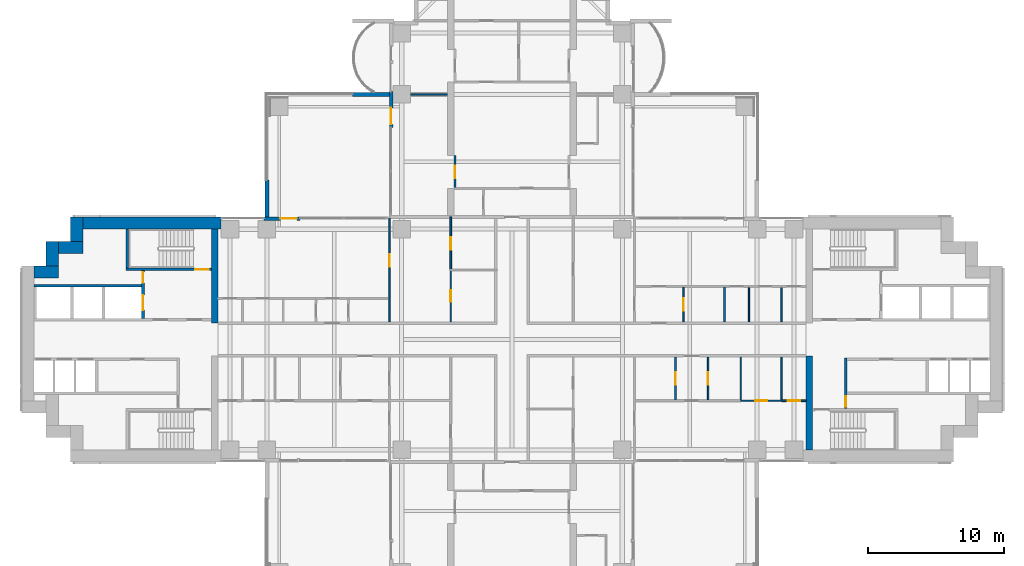
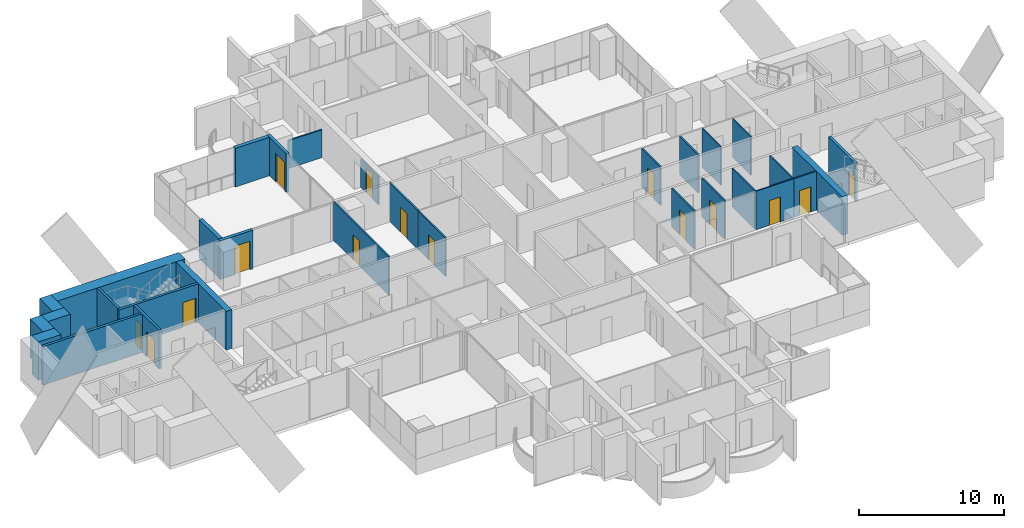
# One storey, part 14 of 22: 31 walls, 15 doors, 15 openings.
"""IFC4 building model written with IfcOpenShell, lengths in metres."""

from ifc_helpers import new_model, si_unit, direction, frame, frame_2d, origin, place, context, subcontext, project, spatial, rectangle, extrude, material, layer, layer_set, type_object, element, fill, save


model = new_model("IFC4")

# Units and contexts
model_context = context("Model", 3, precision=1e-05, world=origin(), true_north=direction((0.0, 1.0)))
body_context = subcontext(model_context, "Body", "Model", "MODEL_VIEW")
ifc_project = project(units=[si_unit("LENGTHUNIT", "METRE"), si_unit("AREAUNIT", "SQUARE_METRE"), si_unit("VOLUMEUNIT", "CUBIC_METRE"), si_unit("PLANEANGLEUNIT", "RADIAN"), si_unit("MASSUNIT", "GRAM", prefix="KILO")], contexts=[model_context])

# Site, building, storey
site_placement = place(None, origin())
site = spatial("IfcSite", under=ifc_project, at=site_placement, CompositionType="ELEMENT")
building_placement = place(site_placement, origin())
building = spatial("IfcBuilding", under=site, at=building_placement, Name="Perihelion Cross Residences", CompositionType="ELEMENT")
storey_placement = place(building_placement, frame((0.0, 0.0, 50.5)))
storey = spatial("IfcBuildingStorey", under=building, at=storey_placement, Name="L09", CompositionType="ELEMENT", Elevation=50.5)

# Wall, opening, door
ifc_material_1 = material(Name="Concrete C30/37, bronze-clad", Category="concrete")
ifc_layer_1 = layer(ifc_material_1, 0.25)
ifc_layer_set_1 = layer_set([ifc_layer_1], Name="Bronze-clad pier wall 250")
wall_type_1 = type_object("IfcWallType", Name="Bronze-clad pier wall 250", PredefinedType="SOLIDWALL", material=ifc_layer_set_1)
wall_1_placement = place(storey_placement, frame((-8.875, 18.199951171875, 0.0), z_axis=(0.0, 0.0, 1.0), x_axis=(0.0, -1.0, 0.0)))
wall_1 = element("IfcWall", 1, at=wall_1_placement, inside=storey, type_object=wall_type_1, Name="Wall FW1 L09 north side west bay 2 pier", PredefinedType="SOLIDWALL", context=body_context, shape_type="SweptSolid", body=[
    extrude(rectangle(XDim=2.64990234375, YDim=0.25, at=frame_2d((1.324951171875, 0.0))), origin(), (0.0, 0.0, 1.0), 3.25),
])
opening_1_placement = place(wall_1_placement, frame((1.199951171875, 0.0, 0.0)))
opening_1 = element("IfcOpeningElement", 2, at=opening_1_placement, cuts=wall_1, Name="Opening L09.E07", PredefinedType="OPENING", context=body_context, shape_type="SweptSolid", body=[
    extrude(rectangle(XDim=1.199951171875, YDim=2.39990234375, at=frame_2d((0.60009765625, 1.199951171875))), frame((0.0, 0.135009765625, 0.0), z_axis=(0.0, -1.0, 0.0), x_axis=(1.0, 0.0, 0.0)), (0.0, 0.0, 1.0), 0.27001953125),
])
ifc_material_2 = material(Name="Bronze anodised aluminium, glazed", Category="aluminium")
door_type_1 = type_object("IfcDoorType", Name="Balcony door 1200 x 2400", OperationType="NOTDEFINED", PredefinedType="DOOR", material=ifc_material_2)
door_1_placement = place(opening_1_placement, origin())
door_1 = element("IfcDoor", 3, at=door_1_placement, inside=storey, type_object=door_type_1, Name="Door L09.E07 north side west bay 2", OperationType="SINGLE_SWING_RIGHT", OverallHeight=2.39990234375, OverallWidth=1.199951171875, PredefinedType="DOOR", context=body_context, shape_type="SweptSolid", body=[
    extrude(rectangle(XDim=1.199951171875, YDim=2.39990234375, at=frame_2d((0.60009765625, 1.199951171875))), frame((0.0, 0.02490234375, 0.0), z_axis=(0.0, -1.0, 0.0), x_axis=(1.0, 0.0, 0.0)), (0.0, 0.0, 1.0), 0.050048828125),
])
fill(opening_1, door_1)

wall_2_placement = place(storey_placement, frame((-15.550048828125, 8.875, 0.0), z_axis=(0.0, 0.0, 1.0), x_axis=(-1.0, 0.0, 0.0)))
wall_2 = element("IfcWall", 4, at=wall_2_placement, inside=storey, type_object=wall_type_1, Name="Wall FW1 L09 west side north bay 1 pier", PredefinedType="SOLIDWALL", context=body_context, shape_type="SweptSolid", body=[
    extrude(rectangle(XDim=2.64990234375, YDim=0.25, at=frame_2d((1.324951171875, 0.0))), origin(), (0.0, 0.0, 1.0), 3.25),
])
opening_2_placement = place(wall_2_placement, frame((0.25, 0.0, 0.0)))
opening_2 = element("IfcOpeningElement", 5, at=opening_2_placement, cuts=wall_2, Name="Opening L09.E08", PredefinedType="OPENING", context=body_context, shape_type="SweptSolid", body=[
    extrude(rectangle(XDim=1.199951171875, YDim=2.39990234375, at=frame_2d((0.60009765625, 1.199951171875))), frame((0.0, 0.135009765625, 0.0), z_axis=(0.0, -1.0, 0.0), x_axis=(1.0, 0.0, 0.0)), (0.0, 0.0, 1.0), 0.27001953125),
])
door_2_placement = place(opening_2_placement, origin())
door_2 = element("IfcDoor", 6, at=door_2_placement, inside=storey, type_object=door_type_1, Name="Door L09.E08 west side north bay 1", OperationType="SINGLE_SWING_LEFT", OverallHeight=2.39990234375, OverallWidth=1.199951171875, PredefinedType="DOOR", context=body_context, shape_type="SweptSolid", body=[
    extrude(rectangle(XDim=1.199951171875, YDim=2.39990234375, at=frame_2d((0.60009765625, 1.199951171875))), frame((0.0, 0.02490234375, 0.0), z_axis=(0.0, -1.0, 0.0), x_axis=(1.0, 0.0, 0.0)), (0.0, 0.0, 1.0), 0.050048828125),
])
fill(opening_2, door_2)

# Walls
ifc_material_3 = material(Name="Concrete C60/75", Category="concrete")
ifc_layer_2 = layer(ifc_material_3, 0.449951171875)
ifc_layer_set_2 = layer_set([ifc_layer_2], Name="Core wall, inner 450")
wall_type_2 = type_object("IfcWallType", Name="Core wall, inner 450", PredefinedType="SHEAR", material=ifc_layer_set_2)
for number, where, z_axis, x_axis, name in (
    (7, (21.824951171875, -8.10009765625, 0.0), (0.0, 0.0, 1.0), (0.0, 1.0, 0.0), "East core core wall, inner"),
    (8, (-21.824951171875, 1.199951171875, 0.0), (0.0, 0.0, 1.0), (0.0, 1.0, 0.0), "West core core wall, inner"),
):
    element("IfcWall", number, at=place(storey_placement, frame(where, z_axis=z_axis, x_axis=x_axis)), inside=storey, type_object=wall_type_2, Name=name, PredefinedType="SHEAR", context=body_context, shape_type="SweptSolid", body=[
        extrude(rectangle(XDim=6.900146484375, YDim=0.449951171875, at=frame_2d((3.4501953125, 0.0))), origin(), (0.0, 0.0, 1.0), 3.25),
    ])
ifc_material_4 = material(Name="Concrete C60/75", Category="concrete")
ifc_layer_3 = layer(ifc_material_4, 0.89990234375)
ifc_layer_set_3 = layer_set([ifc_layer_3], Name="Core wall, outer 900")
wall_type_3 = type_object("IfcWallType", Name="Core wall, outer 900", PredefinedType="SHEAR", material=ifc_layer_set_3)
for number, where, z_axis, x_axis, name in (
    (9, (-35.10009765625, 4.949951171875, 0.0), (0.0, 0.0, 1.0), (1.0, 0.0, 0.0), "West core core wall, outer"),
    (10, (-33.75, 5.39990234375, 0.0), (0.0, 0.0, 1.0), (0.0, 1.0, 0.0), "West core core wall, outer"),
    (11, (-33.300048828125, 6.75, 0.0), (0.0, 0.0, 1.0), (1.0, 0.0, 0.0), "West core core wall, outer"),
    (12, (-31.949951171875, 7.199951171875, 0.0), (0.0, 0.0, 1.0), (0.0, 1.0, 0.0), "West core core wall, outer"),
):
    element("IfcWall", number, at=place(storey_placement, frame(where, z_axis=z_axis, x_axis=x_axis)), inside=storey, type_object=wall_type_3, Name=name, PredefinedType="SHEAR", context=body_context, shape_type="SweptSolid", body=[
        extrude(rectangle(XDim=1.800048828125, YDim=0.89990234375, at=frame_2d((0.89990234375, 0.0))), origin(), (0.0, 0.0, 1.0), 3.25),
    ])
wall_3_placement = place(storey_placement, frame((-31.5, 8.550048828125, 0.0), z_axis=(0.0, 0.0, 1.0), x_axis=(1.0, 0.0, 0.0)))
element("IfcWall", 13, at=wall_3_placement, inside=storey, type_object=wall_type_3, Name="West core core wall, outer", PredefinedType="SHEAR", context=body_context, shape_type="SweptSolid", body=[
    extrude(rectangle(XDim=10.14990234375, YDim=0.89990234375, at=frame_2d((5.074951171875, 0.0))), origin(), (0.0, 0.0, 1.0), 3.25),
])

# Wall, opening, door
ifc_material_5 = material(Name="Plasterboard partition")
ifc_layer_4 = layer(ifc_material_5, 0.1201171875)
ifc_layer_set_4 = layer_set([ifc_layer_4], Name="Infill panel 120")
wall_type_4 = type_object("IfcWallType", Name="Infill panel 120", PredefinedType="PARTITIONING", material=ifc_layer_set_4)
wall_4_placement = place(storey_placement, frame((-4.18994140625, 11.10009765625, 0.0), z_axis=(0.0, 0.0, 1.0), x_axis=(0.0, 1.0, 0.0)))
wall_4 = element("IfcWall", 14, at=wall_4_placement, inside=storey, type_object=wall_type_4, Name="Partition L09 WI03", PredefinedType="PARTITIONING", context=body_context, shape_type="SweptSolid", body=[
    extrude(rectangle(XDim=2.39990234375, YDim=0.1201171875, at=frame_2d((1.199951171875, 0.0))), origin(), (0.0, 0.0, 1.0), 2.39990234375),
])
opening_3_placement = place(wall_4_placement, frame((0.75, 0.0, 0.0)))
opening_3 = element("IfcOpeningElement", 15, at=opening_3_placement, cuts=wall_4, Name="Opening L09.A53", PredefinedType="OPENING", context=body_context, shape_type="SweptSolid", body=[
    extrude(rectangle(XDim=0.89990234375, YDim=2.10009765625, at=frame_2d((0.449951171875, 1.050048828125))), frame((0.0, 0.070068359375, 0.0), z_axis=(0.0, -1.0, 0.0), x_axis=(1.0, 0.0, 0.0)), (0.0, 0.0, 1.0), 0.14013671875),
])
ifc_material_6 = material(Name="Timber door leaf", Category="wood")
door_type_2 = type_object("IfcDoorType", Name="Interior room door 900 x 2100", OperationType="SINGLE_SWING_LEFT", PredefinedType="DOOR", material=ifc_material_6)
door_3_placement = place(opening_3_placement, origin())
door_3 = element("IfcDoor", 16, at=door_3_placement, inside=storey, type_object=door_type_2, Name="Door L09.A53", OperationType="SINGLE_SWING_RIGHT", OverallHeight=2.10009765625, OverallWidth=0.89990234375, PredefinedType="DOOR", context=body_context, shape_type="SweptSolid", body=[
    extrude(rectangle(XDim=0.89990234375, YDim=2.10009765625, at=frame_2d((0.449951171875, 1.050048828125))), frame((0.0, 0.02490234375, 0.0), z_axis=(0.0, -1.0, 0.0), x_axis=(1.0, 0.0, 0.0)), (0.0, 0.0, 1.0), 0.050048828125),
])
fill(opening_3, door_3)

ifc_material_7 = material(Name="Concrete C50/60", Category="concrete")
ifc_layer_5 = layer(ifc_material_7, 0.199951171875)
ifc_layer_set_5 = layer_set([ifc_layer_5], Name="Lobby wall 200")
wall_type_5 = type_object("IfcWallType", Name="Lobby wall 200", PredefinedType="SOLIDWALL", material=ifc_layer_set_5)
wall_5_placement = place(storey_placement, frame((24.5, -5.050048828125, 0.0), z_axis=(0.0, 0.0, 1.0), x_axis=(0.0, 1.0, 0.0)))
wall_5 = element("IfcWall", 17, at=wall_5_placement, inside=storey, type_object=wall_type_5, Name="East core lobby wall", PredefinedType="SOLIDWALL", context=body_context, shape_type="SweptSolid", body=[
    extrude(rectangle(XDim=3.699951171875, YDim=0.199951171875, at=frame_2d((1.85009765625, 0.0))), origin(), (0.0, 0.0, 1.0), 3.25),
])
opening_4_placement = place(wall_5_placement, frame((0.10009765625, 0.0, 0.0)))
opening_4 = element("IfcOpeningElement", 18, at=opening_4_placement, cuts=wall_5, Name="Opening L09.C08", PredefinedType="OPENING", context=body_context, shape_type="SweptSolid", body=[
    extrude(rectangle(XDim=0.800048828125, YDim=2.10009765625, at=frame_2d((0.39990234375, 1.050048828125))), frame((0.0, 0.10986328125, 0.0), z_axis=(0.0, -1.0, 0.0), x_axis=(1.0, 0.0, 0.0)), (0.0, 0.0, 1.0), 0.219970703125),
])
ifc_material_8 = material(Name="Steel, powder coated", Category="steel")
door_type_3 = type_object("IfcDoorType", Name="Riser door 800", OperationType="SINGLE_SWING_LEFT", PredefinedType="DOOR", material=ifc_material_8)
door_4_placement = place(opening_4_placement, origin())
door_4 = element("IfcDoor", 19, at=door_4_placement, inside=storey, type_object=door_type_3, Name="East core riser door", OperationType="SINGLE_SWING_LEFT", OverallHeight=2.10009765625, OverallWidth=0.800048828125, PredefinedType="DOOR", context=body_context, shape_type="SweptSolid", body=[
    extrude(rectangle(XDim=0.800048828125, YDim=2.10009765625, at=frame_2d((0.39990234375, 1.050048828125))), frame((0.0, 0.02490234375, 0.0), z_axis=(0.0, -1.0, 0.0), x_axis=(1.0, 0.0, 0.0)), (0.0, 0.0, 1.0), 0.050048828125),
])
fill(opening_4, door_4)

ifc_material_9 = material(Name="Plasterboard partition")
ifc_layer_6 = layer(ifc_material_9, 0.1201171875)
ifc_layer_set_6 = layer_set([ifc_layer_6], Name="Partition wall 120")
wall_type_6 = type_object("IfcWallType", Name="Partition wall 120", PredefinedType="PARTITIONING", material=ifc_layer_set_6)
wall_6_placement = place(storey_placement, frame((12.60009765625, 3.840087890625, 0.0), z_axis=(0.0, 0.0, 1.0), x_axis=(0.0, -1.0, 0.0)))
wall_6 = element("IfcWall", 20, at=wall_6_placement, inside=storey, type_object=wall_type_6, Name="Partition L09 W011", PredefinedType="PARTITIONING", context=body_context, shape_type="SweptSolid", body=[
    extrude(rectangle(XDim=2.5400390625, YDim=0.1201171875, at=frame_2d((1.27001953125, 0.0))), origin(), (0.0, 0.0, 1.0), 3.25),
])
opening_5_placement = place(wall_6_placement, frame((0.820068359375, 0.0, 0.0)))
opening_5 = element("IfcOpeningElement", 21, at=opening_5_placement, cuts=wall_6, Name="Opening L09.A04", PredefinedType="OPENING", context=body_context, shape_type="SweptSolid", body=[
    extrude(rectangle(XDim=0.89990234375, YDim=2.10009765625, at=frame_2d((0.449951171875, 1.050048828125))), frame((0.0, 0.070068359375, 0.0), z_axis=(0.0, -1.0, 0.0), x_axis=(1.0, 0.0, 0.0)), (0.0, 0.0, 1.0), 0.14013671875),
])
door_5_placement = place(opening_5_placement, origin())
door_5 = element("IfcDoor", 22, at=door_5_placement, inside=storey, type_object=door_type_2, Name="Door L09.A04", OperationType="SINGLE_SWING_RIGHT", OverallHeight=2.10009765625, OverallWidth=0.89990234375, PredefinedType="DOOR", context=body_context, shape_type="SweptSolid", body=[
    extrude(rectangle(XDim=0.89990234375, YDim=2.10009765625, at=frame_2d((0.449951171875, 1.050048828125))), frame((0.0, 0.02490234375, 0.0), z_axis=(0.0, -1.0, 0.0), x_axis=(1.0, 0.0, 0.0)), (0.0, 0.0, 1.0), 0.050048828125),
])
fill(opening_5, door_5)

# Wall
wall_7_placement = place(storey_placement, frame((15.60009765625, 3.840087890625, 0.0), z_axis=(0.0, 0.0, 1.0), x_axis=(0.0, -1.0, 0.0)))
element("IfcWall", 23, at=wall_7_placement, inside=storey, type_object=wall_type_6, Name="Partition L09 W014", PredefinedType="PARTITIONING", context=body_context, shape_type="SweptSolid", body=[
    extrude(rectangle(XDim=2.5400390625, YDim=0.1201171875, at=frame_2d((1.27001953125, 0.0))), origin(), (0.0, 0.0, 1.0), 3.25),
])

# Wall, opening, door
wall_8_placement = place(storey_placement, frame((12.0, -1.300048828125, 0.0), z_axis=(0.0, 0.0, 1.0), x_axis=(0.0, -1.0, 0.0)))
wall_8 = element("IfcWall", 24, at=wall_8_placement, inside=storey, type_object=wall_type_6, Name="Partition L09 W020", PredefinedType="PARTITIONING", context=body_context, shape_type="SweptSolid", body=[
    extrude(rectangle(XDim=3.139892578125, YDim=0.1201171875, at=frame_2d((1.56982421875, 0.0))), origin(), (0.0, 0.0, 1.0), 3.25),
])
opening_6_placement = place(wall_8_placement, frame((1.1201171875, 0.0, 0.0)))
opening_6 = element("IfcOpeningElement", 25, at=opening_6_placement, cuts=wall_8, Name="Opening L09.A11", PredefinedType="OPENING", context=body_context, shape_type="SweptSolid", body=[
    extrude(rectangle(XDim=0.89990234375, YDim=2.10009765625, at=frame_2d((0.449951171875, 1.050048828125))), frame((0.0, 0.070068359375, 0.0), z_axis=(0.0, -1.0, 0.0), x_axis=(1.0, 0.0, 0.0)), (0.0, 0.0, 1.0), 0.14013671875),
])
door_6_placement = place(opening_6_placement, origin())
door_6 = element("IfcDoor", 26, at=door_6_placement, inside=storey, type_object=door_type_2, Name="Door L09.A11", OperationType="SINGLE_SWING_RIGHT", OverallHeight=2.10009765625, OverallWidth=0.89990234375, PredefinedType="DOOR", context=body_context, shape_type="SweptSolid", body=[
    extrude(rectangle(XDim=0.89990234375, YDim=2.10009765625, at=frame_2d((0.449951171875, 1.050048828125))), frame((0.0, 0.02490234375, 0.0), z_axis=(0.0, -1.0, 0.0), x_axis=(1.0, 0.0, 0.0)), (0.0, 0.0, 1.0), 0.050048828125),
])
fill(opening_6, door_6)

wall_9_placement = place(storey_placement, frame((14.39990234375, -1.300048828125, 0.0), z_axis=(0.0, 0.0, 1.0), x_axis=(0.0, -1.0, 0.0)))
wall_9 = element("IfcWall", 27, at=wall_9_placement, inside=storey, type_object=wall_type_6, Name="Partition L09 W023", PredefinedType="PARTITIONING", context=body_context, shape_type="SweptSolid", body=[
    extrude(rectangle(XDim=3.139892578125, YDim=0.1201171875, at=frame_2d((1.56982421875, 0.0))), origin(), (0.0, 0.0, 1.0), 3.25),
])
opening_7_placement = place(wall_9_placement, frame((1.1201171875, 0.0, 0.0)))
opening_7 = element("IfcOpeningElement", 28, at=opening_7_placement, cuts=wall_9, Name="Opening L09.A15", PredefinedType="OPENING", context=body_context, shape_type="SweptSolid", body=[
    extrude(rectangle(XDim=0.89990234375, YDim=2.10009765625, at=frame_2d((0.449951171875, 1.050048828125))), frame((0.0, 0.070068359375, 0.0), z_axis=(0.0, -1.0, 0.0), x_axis=(1.0, 0.0, 0.0)), (0.0, 0.0, 1.0), 0.14013671875),
])
door_7_placement = place(opening_7_placement, origin())
door_7 = element("IfcDoor", 29, at=door_7_placement, inside=storey, type_object=door_type_2, Name="Door L09.A15", OperationType="SINGLE_SWING_LEFT", OverallHeight=2.10009765625, OverallWidth=0.89990234375, PredefinedType="DOOR", context=body_context, shape_type="SweptSolid", body=[
    extrude(rectangle(XDim=0.89990234375, YDim=2.10009765625, at=frame_2d((0.449951171875, 1.050048828125))), frame((0.0, 0.02490234375, 0.0), z_axis=(0.0, -1.0, 0.0), x_axis=(1.0, 0.0, 0.0)), (0.0, 0.0, 1.0), 0.050048828125),
])
fill(opening_7, door_7)

wall_10_placement = place(storey_placement, frame((21.60009765625, -4.5, 0.0), z_axis=(0.0, 0.0, 1.0), x_axis=(-1.0, 0.0, 0.0)))
wall_10 = element("IfcWall", 30, at=wall_10_placement, inside=storey, type_object=wall_type_6, Name="Partition L09 W027", PredefinedType="PARTITIONING", context=body_context, shape_type="SweptSolid", body=[
    extrude(rectangle(XDim=1.800048828125, YDim=0.1201171875, at=frame_2d((0.89990234375, 0.0))), origin(), (0.0, 0.0, 1.0), 3.25),
])
opening_8_placement = place(wall_10_placement, frame((0.449951171875, 0.0, 0.0)))
opening_8 = element("IfcOpeningElement", 31, at=opening_8_placement, cuts=wall_10, Name="Opening L09.A13", PredefinedType="OPENING", context=body_context, shape_type="SweptSolid", body=[
    extrude(rectangle(XDim=0.89990234375, YDim=2.10009765625, at=frame_2d((0.449951171875, 1.050048828125))), frame((0.0, 0.070068359375, 0.0), z_axis=(0.0, -1.0, 0.0), x_axis=(1.0, 0.0, 0.0)), (0.0, 0.0, 1.0), 0.14013671875),
])
door_8_placement = place(opening_8_placement, origin())
door_8 = element("IfcDoor", 32, at=door_8_placement, inside=storey, type_object=door_type_2, Name="Door L09.A13", OperationType="SINGLE_SWING_LEFT", OverallHeight=2.10009765625, OverallWidth=0.89990234375, PredefinedType="DOOR", context=body_context, shape_type="SweptSolid", body=[
    extrude(rectangle(XDim=0.89990234375, YDim=2.10009765625, at=frame_2d((0.449951171875, 1.050048828125))), frame((0.0, 0.02490234375, 0.0), z_axis=(0.0, -1.0, 0.0), x_axis=(1.0, 0.0, 0.0)), (0.0, 0.0, 1.0), 0.050048828125),
])
fill(opening_8, door_8)

wall_11_placement = place(storey_placement, frame((-9.0, 8.919921875, 0.0), z_axis=(0.0, 0.0, 1.0), x_axis=(0.0, -1.0, 0.0)))
wall_11 = element("IfcWall", 33, at=wall_11_placement, inside=storey, type_object=wall_type_6, Name="Partition L09 W033", PredefinedType="PARTITIONING", context=body_context, shape_type="SweptSolid", body=[
    extrude(rectangle(XDim=7.619873046875, YDim=0.1201171875, at=frame_2d((3.81005859375, 0.0))), origin(), (0.0, 0.0, 1.0), 3.25),
])
opening_9_placement = place(wall_11_placement, frame((2.669921875, 0.0, 0.0)))
opening_9 = element("IfcOpeningElement", 34, at=opening_9_placement, cuts=wall_11, Name="Opening L09.A20", PredefinedType="OPENING", context=body_context, shape_type="SweptSolid", body=[
    extrude(rectangle(XDim=0.89990234375, YDim=2.10009765625, at=frame_2d((0.449951171875, 1.050048828125))), frame((0.0, 0.070068359375, 0.0), z_axis=(0.0, -1.0, 0.0), x_axis=(1.0, 0.0, 0.0)), (0.0, 0.0, 1.0), 0.14013671875),
])
door_9_placement = place(opening_9_placement, origin())
door_9 = element("IfcDoor", 35, at=door_9_placement, inside=storey, type_object=door_type_2, Name="Door L09.A20", OperationType="SINGLE_SWING_RIGHT", OverallHeight=2.10009765625, OverallWidth=0.89990234375, PredefinedType="DOOR", context=body_context, shape_type="SweptSolid", body=[
    extrude(rectangle(XDim=0.89990234375, YDim=2.10009765625, at=frame_2d((0.449951171875, 1.050048828125))), frame((0.0, 0.02490234375, 0.0), z_axis=(0.0, -1.0, 0.0), x_axis=(1.0, 0.0, 0.0)), (0.0, 0.0, 1.0), 0.050048828125),
])
fill(opening_9, door_9)

wall_12_placement = place(storey_placement, frame((-4.5, 9.0, 0.0), z_axis=(0.0, 0.0, 1.0), x_axis=(0.0, -1.0, 0.0)))
wall_12 = element("IfcWall", 36, at=wall_12_placement, inside=storey, type_object=wall_type_6, Name="Partition L09 W040", PredefinedType="PARTITIONING", context=body_context, shape_type="SweptSolid", body=[
    extrude(rectangle(XDim=3.89990234375, YDim=0.1201171875, at=frame_2d((1.949951171875, 0.0))), origin(), (0.0, 0.0, 1.0), 3.25),
])
opening_10_placement = place(wall_12_placement, frame((1.5, 0.0, 0.0)))
opening_10 = element("IfcOpeningElement", 37, at=opening_10_placement, cuts=wall_12, Name="Opening L09.A18", PredefinedType="OPENING", context=body_context, shape_type="SweptSolid", body=[
    extrude(rectangle(XDim=0.89990234375, YDim=2.10009765625, at=frame_2d((0.449951171875, 1.050048828125))), frame((0.0, 0.070068359375, 0.0), z_axis=(0.0, -1.0, 0.0), x_axis=(1.0, 0.0, 0.0)), (0.0, 0.0, 1.0), 0.14013671875),
])
door_10_placement = place(opening_10_placement, origin())
door_10 = element("IfcDoor", 38, at=door_10_placement, inside=storey, type_object=door_type_2, Name="Door L09.A18", OperationType="SINGLE_SWING_LEFT", OverallHeight=2.10009765625, OverallWidth=0.89990234375, PredefinedType="DOOR", context=body_context, shape_type="SweptSolid", body=[
    extrude(rectangle(XDim=0.89990234375, YDim=2.10009765625, at=frame_2d((0.449951171875, 1.050048828125))), frame((0.0, 0.02490234375, 0.0), z_axis=(0.0, -1.0, 0.0), x_axis=(1.0, 0.0, 0.0)), (0.0, 0.0, 1.0), 0.050048828125),
])
fill(opening_10, door_10)

# Walls
wall_13_placement = place(storey_placement, frame((-7.449951171875, 18.0, 0.0), z_axis=(0.0, 0.0, 1.0), x_axis=(1.0, 0.0, 0.0)))
element("IfcWall", 39, at=wall_13_placement, inside=storey, type_object=wall_type_6, Name="Partition L09 W064", PredefinedType="PARTITIONING", context=body_context, shape_type="SweptSolid", body=[
    extrude(rectangle(XDim=2.699951171875, YDim=0.1201171875, at=frame_2d((1.35009765625, 0.0))), origin(), (0.0, 0.0, 1.0), 2.345947265625),
])
ifc_material_10 = material(Name="Precast concrete C50/60", Category="concrete")
ifc_layer_7 = layer(ifc_material_10, 0.300048828125)
ifc_layer_set_7 = layer_set([ifc_layer_7], Name="Precast concrete C50/60 blade wall 300")
wall_type_7 = type_object("IfcWallType", Name="Precast concrete C50/60 blade wall 300", PredefinedType="SOLIDWALL", material=ifc_layer_set_7)
for number, where, z_axis, x_axis, name in (
    (40, (-18.0, 8.75, 0.0), (0.0, 0.0, 1.0), (0.0, 1.0, 0.0), "Wall BL1 L09 no. 2"),
    (41, (-8.75, 18.0, 0.0), (0.0, 0.0, 1.0), (-1.0, 0.0, 0.0), "Wall BL1 L09 no. 7"),
):
    element("IfcWall", number, at=place(storey_placement, frame(where, z_axis=z_axis, x_axis=x_axis)), inside=storey, type_object=wall_type_7, Name=name, PredefinedType="SOLIDWALL", context=body_context, shape_type="SweptSolid", body=[
        extrude(rectangle(XDim=2.949951171875, YDim=0.300048828125, at=frame_2d((1.47509765625, 0.0))), origin(), (0.0, 0.0, 1.0), 3.25),
    ])
ifc_material_11 = material(Name="Concrete C50/60", Category="concrete")
ifc_layer_8 = layer(ifc_material_11, 0.199951171875)
ifc_layer_set_8 = layer_set([ifc_layer_8], Name="Shaft wall 200")
wall_type_8 = type_object("IfcWallType", Name="Shaft wall 200", PredefinedType="SOLIDWALL", material=ifc_layer_set_8)
wall_14_placement = place(storey_placement, frame((-35.10009765625, 3.949951171875, 0.0), z_axis=(0.0, 0.0, 1.0), x_axis=(1.0, 0.0, 0.0)))
element("IfcWall", 42, at=wall_14_placement, inside=storey, type_object=wall_type_8, Name="West core shaft wall", PredefinedType="SOLIDWALL", context=body_context, shape_type="SweptSolid", body=[
    extrude(rectangle(XDim=7.900146484375, YDim=0.199951171875, at=frame_2d((3.9501953125, 0.0))), origin(), (0.0, 0.0, 1.0), 3.25),
])

# Wall, openings, doors
wall_15_placement = place(storey_placement, frame((-27.10009765625, 1.550048828125, 0.0), z_axis=(0.0, 0.0, 1.0), x_axis=(0.0, 1.0, 0.0)))
wall_15 = element("IfcWall", 43, at=wall_15_placement, inside=storey, type_object=wall_type_8, Name="West core shaft wall", PredefinedType="SOLIDWALL", context=body_context, shape_type="SweptSolid", body=[
    extrude(rectangle(XDim=3.5, YDim=0.199951171875, at=frame_2d((1.75, 0.0))), origin(), (0.0, 0.0, 1.0), 3.25),
])
opening_11_placement = place(wall_15_placement, frame((0.60009765625, 0.0, 0.0)))
opening_11 = element("IfcOpeningElement", 44, at=opening_11_placement, cuts=wall_15, Name="Opening L09.C12", PredefinedType="OPENING", context=body_context, shape_type="SweptSolid", body=[
    extrude(rectangle(XDim=1.10009765625, YDim=2.10009765625, at=frame_2d((0.550048828125, 1.050048828125))), frame((0.0, 0.10986328125, 0.0), z_axis=(0.0, -1.0, 0.0), x_axis=(1.0, 0.0, 0.0)), (0.0, 0.0, 1.0), 0.219970703125),
])
opening_12_placement = place(wall_15_placement, frame((2.60009765625, 0.0, 0.0)))
opening_12 = element("IfcOpeningElement", 45, at=opening_12_placement, cuts=wall_15, Name="Opening L09.C21", PredefinedType="OPENING", context=body_context, shape_type="SweptSolid", body=[
    extrude(rectangle(XDim=0.800048828125, YDim=2.10009765625, at=frame_2d((0.39990234375, 1.050048828125))), frame((0.0, 0.10986328125, 0.0), z_axis=(0.0, -1.0, 0.0), x_axis=(1.0, 0.0, 0.0)), (0.0, 0.0, 1.0), 0.219970703125),
])
ifc_material_12 = material(Name="Stainless steel", Category="steel")
door_type_4 = type_object("IfcDoorType", Name="Landing door, firefighting lift 1100", OperationType="DOUBLE_DOOR_SLIDING", PredefinedType="DOOR", material=ifc_material_12)
door_11_placement = place(opening_11_placement, origin())
door_11 = element("IfcDoor", 46, at=door_11_placement, inside=storey, type_object=door_type_4, Name="Landing door, West core firefighting and service lift", OperationType="DOUBLE_DOOR_SLIDING", OverallHeight=2.10009765625, OverallWidth=1.10009765625, PredefinedType="DOOR", context=body_context, shape_type="SweptSolid", body=[
    extrude(rectangle(XDim=1.10009765625, YDim=2.10009765625, at=frame_2d((0.550048828125, 1.050048828125))), frame((0.0, 0.02490234375, 0.0), z_axis=(0.0, -1.0, 0.0), x_axis=(1.0, 0.0, 0.0)), (0.0, 0.0, 1.0), 0.050048828125),
])
fill(opening_11, door_11)
door_12_placement = place(opening_12_placement, origin())
door_12 = element("IfcDoor", 47, at=door_12_placement, inside=storey, type_object=door_type_3, Name="West core riser door", OperationType="SINGLE_SWING_LEFT", OverallHeight=2.10009765625, OverallWidth=0.800048828125, PredefinedType="DOOR", context=body_context, shape_type="SweptSolid", body=[
    extrude(rectangle(XDim=0.800048828125, YDim=2.10009765625, at=frame_2d((0.39990234375, 1.050048828125))), frame((0.0, 0.02490234375, 0.0), z_axis=(0.0, -1.0, 0.0), x_axis=(1.0, 0.0, 0.0)), (0.0, 0.0, 1.0), 0.050048828125),
])
fill(opening_12, door_12)

# Wall, opening, door
ifc_material_13 = material(Name="Concrete C50/60", Category="concrete")
ifc_layer_9 = layer(ifc_material_13, 0.199951171875)
ifc_layer_set_9 = layer_set([ifc_layer_9], Name="Stair wall 200")
wall_type_9 = type_object("IfcWallType", Name="Stair wall 200", PredefinedType="SOLIDWALL", material=ifc_layer_set_9)
wall_16_placement = place(storey_placement, frame((-28.35009765625, 5.14990234375, 0.0), z_axis=(0.0, 0.0, 1.0), x_axis=(1.0, 0.0, 0.0)))
wall_16 = element("IfcWall", 48, at=wall_16_placement, inside=storey, type_object=wall_type_9, Name="West core stair wall", PredefinedType="SOLIDWALL", context=body_context, shape_type="SweptSolid", body=[
    extrude(rectangle(XDim=6.300048828125, YDim=0.199951171875, at=frame_2d((3.14990234375, 0.0))), origin(), (0.0, 0.0, 1.0), 3.25),
])
opening_13_placement = place(wall_16_placement, frame((5.10009765625, 0.0, 0.0)))
opening_13 = element("IfcOpeningElement", 49, at=opening_13_placement, cuts=wall_16, Name="Opening L09.C17", PredefinedType="OPENING", context=body_context, shape_type="SweptSolid", body=[
    extrude(rectangle(XDim=1.0, YDim=2.10009765625, at=frame_2d((0.5, 1.050048828125))), frame((0.0, 0.10986328125, 0.0), z_axis=(0.0, -1.0, 0.0), x_axis=(1.0, 0.0, 0.0)), (0.0, 0.0, 1.0), 0.219970703125),
])
ifc_material_14 = material(Name="Steel, powder coated", Category="steel")
door_type_5 = type_object("IfcDoorType", Name="Stair door 1000", OperationType="SINGLE_SWING_LEFT", PredefinedType="DOOR", material=ifc_material_14)
door_13_placement = place(opening_13_placement, origin())
door_13 = element("IfcDoor", 50, at=door_13_placement, inside=storey, type_object=door_type_5, Name="West core stair door", OperationType="SINGLE_SWING_LEFT", OverallHeight=2.10009765625, OverallWidth=1.0, PredefinedType="DOOR", context=body_context, shape_type="SweptSolid", body=[
    extrude(rectangle(XDim=1.0, YDim=2.10009765625, at=frame_2d((0.5, 1.050048828125))), frame((0.0, 0.02490234375, 0.0), z_axis=(0.0, -1.0, 0.0), x_axis=(1.0, 0.0, 0.0)), (0.0, 0.0, 1.0), 0.050048828125),
])
fill(opening_13, door_13)

# Walls
wall_17_placement = place(storey_placement, frame((-28.25, 5.25, 0.0), z_axis=(0.0, 0.0, 1.0), x_axis=(0.0, 1.0, 0.0)))
element("IfcWall", 51, at=wall_17_placement, inside=storey, type_object=wall_type_9, Name="West core stair wall", PredefinedType="SOLIDWALL", context=body_context, shape_type="SweptSolid", body=[
    extrude(rectangle(XDim=2.85009765625, YDim=0.199951171875, at=frame_2d((1.425048828125, 0.0))), origin(), (0.0, 0.0, 1.0), 3.25),
])
ifc_material_15 = material(Name="Plasterboard partition")
ifc_layer_10 = layer(ifc_material_15, 0.10009765625)
ifc_layer_set_10 = layer_set([ifc_layer_10], Name="Wet room wall 100")
wall_type_10 = type_object("IfcWallType", Name="Wet room wall 100", PredefinedType="PARTITIONING", material=ifc_layer_set_10)
for number, where, z_axis, x_axis, name in (
    (52, (17.39990234375, 3.840087890625, 0.0), (0.0, 0.0, 1.0), (0.0, -1.0, 0.0), "Partition L09 W015"),
    (53, (19.800048828125, 3.840087890625, 0.0), (0.0, 0.0, 1.0), (0.0, -1.0, 0.0), "Partition L09 W016"),
):
    element("IfcWall", number, at=place(storey_placement, frame(where, z_axis=z_axis, x_axis=x_axis)), inside=storey, type_object=wall_type_10, Name=name, PredefinedType="PARTITIONING", context=body_context, shape_type="SweptSolid", body=[
        extrude(rectangle(XDim=2.5400390625, YDim=0.10009765625, at=frame_2d((1.27001953125, 0.0))), origin(), (0.0, 0.0, 1.0), 3.25),
    ])
for number, where, z_axis, x_axis, name in (
    (54, (16.800048828125, -1.300048828125, 0.0), (0.0, 0.0, 1.0), (0.0, -1.0, 0.0), "Partition L09 W024"),
    (55, (19.800048828125, -1.300048828125, 0.0), (0.0, 0.0, 1.0), (0.0, -1.0, 0.0), "Partition L09 W025"),
):
    element("IfcWall", number, at=place(storey_placement, frame(where, z_axis=z_axis, x_axis=x_axis)), inside=storey, type_object=wall_type_10, Name=name, PredefinedType="PARTITIONING", context=body_context, shape_type="SweptSolid", body=[
        extrude(rectangle(XDim=3.139892578125, YDim=0.10009765625, at=frame_2d((1.56982421875, 0.0))), origin(), (0.0, 0.0, 1.0), 3.25),
    ])

# Wall, opening, door
wall_18_placement = place(storey_placement, frame((19.800048828125, -4.5, 0.0), z_axis=(0.0, 0.0, 1.0), x_axis=(-1.0, 0.0, 0.0)))
wall_18 = element("IfcWall", 56, at=wall_18_placement, inside=storey, type_object=wall_type_10, Name="Partition L09 W026", PredefinedType="PARTITIONING", context=body_context, shape_type="SweptSolid", body=[
    extrude(rectangle(XDim=3.0, YDim=0.10009765625, at=frame_2d((1.5, 0.0))), origin(), (0.0, 0.0, 1.0), 3.25),
])
opening_14_placement = place(wall_18_placement, frame((1.074951171875, 0.0, 0.0)))
opening_14 = element("IfcOpeningElement", 57, at=opening_14_placement, cuts=wall_18, Name="Opening L09.A08", PredefinedType="OPENING", context=body_context, shape_type="SweptSolid", body=[
    extrude(rectangle(XDim=0.85009765625, YDim=2.10009765625, at=frame_2d((0.425048828125, 1.050048828125))), frame((0.0, 0.06005859375, 0.0), z_axis=(0.0, -1.0, 0.0), x_axis=(1.0, 0.0, 0.0)), (0.0, 0.0, 1.0), 0.1201171875),
])
ifc_material_16 = material(Name="Timber door leaf", Category="wood")
door_type_6 = type_object("IfcDoorType", Name="Interior bathroom door 850 x 2100", OperationType="SINGLE_SWING_LEFT", PredefinedType="DOOR", material=ifc_material_16)
door_14_placement = place(opening_14_placement, origin())
door_14 = element("IfcDoor", 58, at=door_14_placement, inside=storey, type_object=door_type_6, Name="Door L09.A08", OperationType="SINGLE_SWING_RIGHT", OverallHeight=2.10009765625, OverallWidth=0.85009765625, PredefinedType="DOOR", context=body_context, shape_type="SweptSolid", body=[
    extrude(rectangle(XDim=0.85009765625, YDim=2.10009765625, at=frame_2d((0.425048828125, 1.050048828125))), frame((0.0, 0.02490234375, 0.0), z_axis=(0.0, -1.0, 0.0), x_axis=(1.0, 0.0, 0.0)), (0.0, 0.0, 1.0), 0.050048828125),
])
fill(opening_14, door_14)

wall_19_placement = place(storey_placement, frame((-4.5, 5.10009765625, 0.0), z_axis=(0.0, 0.0, 1.0), x_axis=(0.0, -1.0, 0.0)))
wall_19 = element("IfcWall", 59, at=wall_19_placement, inside=storey, type_object=wall_type_10, Name="Partition L09 W039", PredefinedType="PARTITIONING", context=body_context, shape_type="SweptSolid", body=[
    extrude(rectangle(XDim=3.800048828125, YDim=0.10009765625, at=frame_2d((1.89990234375, 0.0))), origin(), (0.0, 0.0, 1.0), 3.25),
])
opening_15_placement = place(wall_19_placement, frame((1.47509765625, 0.0, 0.0)))
opening_15 = element("IfcOpeningElement", 60, at=opening_15_placement, cuts=wall_19, Name="Opening L09.A21", PredefinedType="OPENING", context=body_context, shape_type="SweptSolid", body=[
    extrude(rectangle(XDim=0.85009765625, YDim=2.10009765625, at=frame_2d((0.425048828125, 1.050048828125))), frame((0.0, 0.06005859375, 0.0), z_axis=(0.0, -1.0, 0.0), x_axis=(1.0, 0.0, 0.0)), (0.0, 0.0, 1.0), 0.1201171875),
])
door_15_placement = place(opening_15_placement, origin())
door_15 = element("IfcDoor", 61, at=door_15_placement, inside=storey, type_object=door_type_6, Name="Door L09.A21", OperationType="SINGLE_SWING_RIGHT", OverallHeight=2.10009765625, OverallWidth=0.85009765625, PredefinedType="DOOR", context=body_context, shape_type="SweptSolid", body=[
    extrude(rectangle(XDim=0.85009765625, YDim=2.10009765625, at=frame_2d((0.425048828125, 1.050048828125))), frame((0.0, 0.02490234375, 0.0), z_axis=(0.0, -1.0, 0.0), x_axis=(1.0, 0.0, 0.0)), (0.0, 0.0, 1.0), 0.050048828125),
])
fill(opening_15, door_15)

save(model, "model.ifc")
